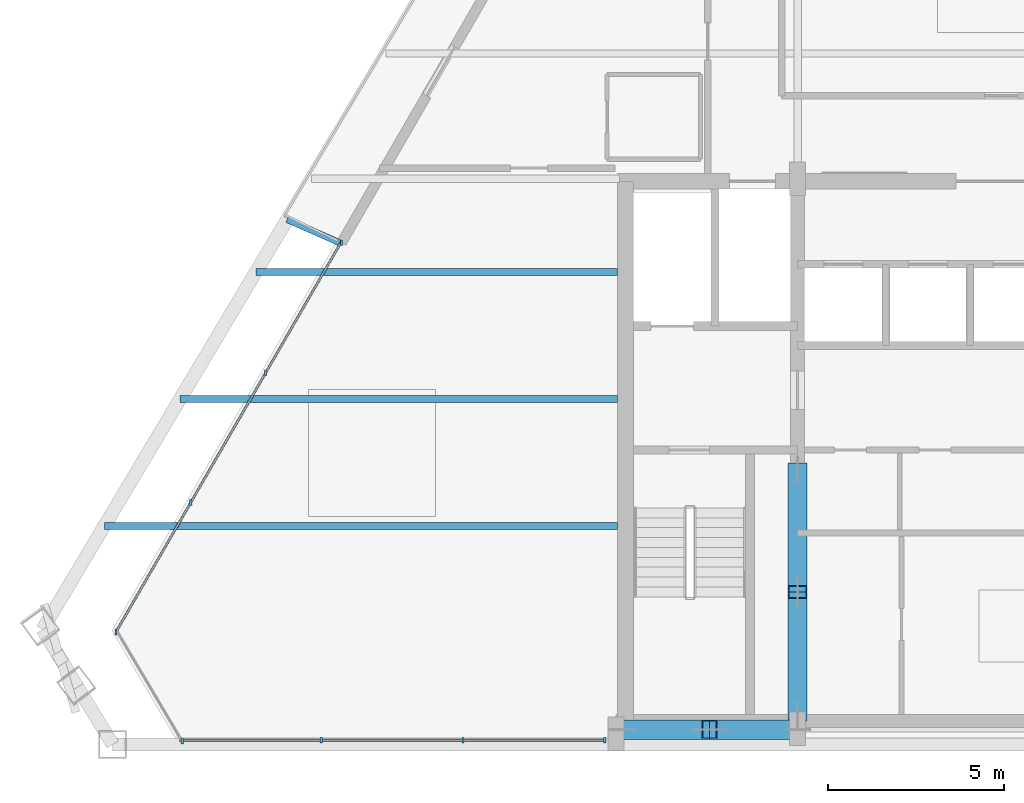
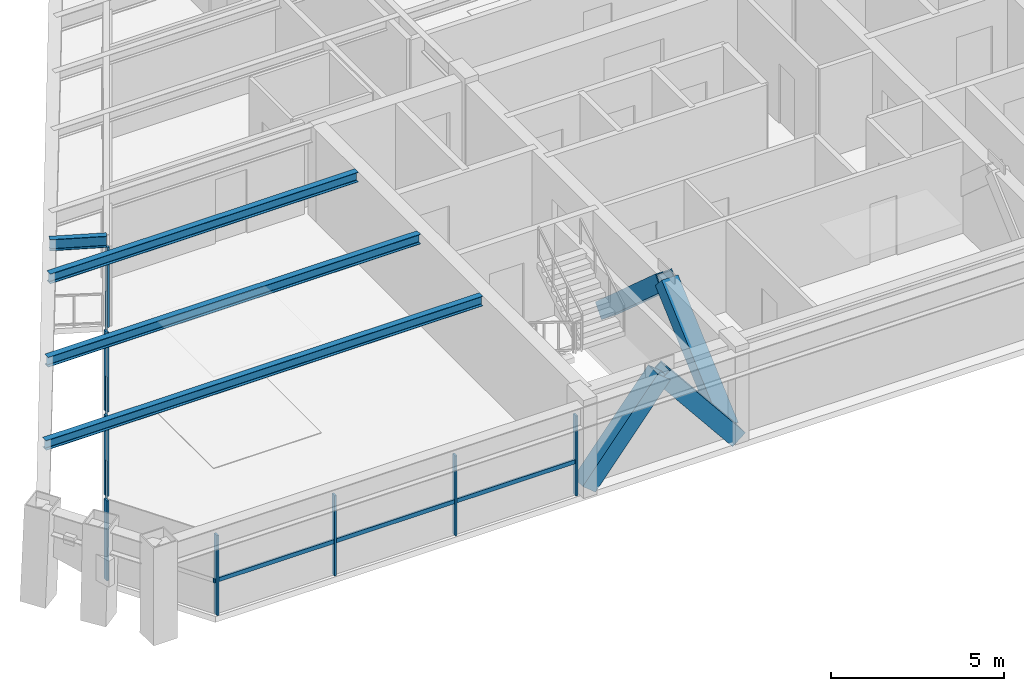
# One storey, part 2 of 13: 18 members, 4 beams, 3 elements without a shape of their own.
"""IFC4 building model written with IfcOpenShell, lengths in metres."""

from ifc_helpers import new_model, si_unit, direction, frame, origin, origin_2d, place, context, subcontext, project, spatial, rectangle, hollow_rectangle, i_section, extrude, source, transform, mapped, material, material_profile, profile_set, type_object, type_shapes, element, aggregate, save


model = new_model("IFC4")

# Units and contexts
model_context = context("Model", 3, precision=1e-05, world=origin(), true_north=direction((0.0, 1.0)))
body_context = subcontext(model_context, "Body", "Model", "MODEL_VIEW")
ifc_project = project(units=[si_unit("LENGTHUNIT", "METRE"), si_unit("AREAUNIT", "SQUARE_METRE"), si_unit("VOLUMEUNIT", "CUBIC_METRE"), si_unit("PLANEANGLEUNIT", "RADIAN"), si_unit("MASSUNIT", "GRAM", prefix="KILO")], contexts=[model_context])

# Site, building, storey
site_placement = place(None, origin())
site = spatial("IfcSite", under=ifc_project, at=site_placement, CompositionType="ELEMENT")
building_placement = place(site_placement, origin())
building = spatial("IfcBuilding", under=site, at=building_placement, Name="Varnakhor Terracotta Tower", CompositionType="ELEMENT")
storey_placement = place(building_placement, frame((0.0, 0.0, 276.449951171875)))
storey = spatial("IfcBuildingStorey", under=building, at=storey_placement, Name="L72", CompositionType="ELEMENT", Elevation=276.449951171875)

# Members
ifc_material_1 = material(Name="Steel S355", Category="steel")
ifc_material_profile_1 = material_profile(ifc_material_1, hollow_rectangle(XDim=0.550048828125, YDim=0.550048828125, WallThickness=0.034912109375, at=origin_2d()), Name="HSS550X550X35")
ifc_profile_set_1 = profile_set([ifc_material_profile_1], Name="Steel S355")
member_type_1 = type_object("IfcMemberType", Name="MBR-MEGA-550", PredefinedType="BRACE", material=ifc_profile_set_1)
shared_shape_1 = source(origin(), body_context, "Body", "SweptSolid", [
    extrude(hollow_rectangle(XDim=0.550048828125, YDim=0.550048828125, WallThickness=0.034912109375, at=origin_2d()), origin(), (0.0, 0.0, 1.0), 3.974853515625),
])
for number, where, z_axis, x_axis, name in (
    (1, (-10.5, 0.419921875, 0.0), (0.628970263838, 0.0, 0.777429358339), (0.0, 1.0, 0.0), "L72 Core Coupled Brace CSWA"),
    (2, (-5.5, 0.419921875, 0.0), (-0.628970263838, 0.0, 0.777429358339), (0.0, -1.0, 0.0), "L72 Core Coupled Brace CSWB"),
):
    element("IfcMember", number, at=place(storey_placement, frame(where, z_axis=z_axis, x_axis=x_axis)), inside=storey, type_object=member_type_1, Name=name, PredefinedType="BRACE", context=body_context, shape_type="MappedRepresentation", body=[
        mapped(shared_shape_1, transform((0.0, 0.0, 0.0), scale=1.0)),
    ])
shared_shape_2 = source(origin(), body_context, "Body", "SweptSolid", [
    extrude(hollow_rectangle(XDim=0.550048828125, YDim=0.550048828125, WallThickness=0.034912109375, at=origin_2d()), origin(), (0.0, 0.0, 1.0), 4.650146484375),
])
for number, where, z_axis, x_axis, name in (
    (3, (-5.5, 0.85009765625, 0.0), (0.0, 0.74726736397, 0.664523503532), (-1.0, 0.0, 0.0), "L72 Core Coupled Brace CWWA"),
    (4, (-5.5, 7.800048828125, 0.0), (0.0, -0.74729054724, 0.664497432655), (1.0, 0.0, 0.0), "L72 Core Coupled Brace CWWB"),
):
    element("IfcMember", number, at=place(storey_placement, frame(where, z_axis=z_axis, x_axis=x_axis)), inside=storey, type_object=member_type_1, Name=name, PredefinedType="BRACE", context=body_context, shape_type="MappedRepresentation", body=[
        mapped(shared_shape_2, transform((0.0, 0.0, 0.0), scale=1.0)),
    ])

# Beams
ifc_material_profile_2 = material_profile(ifc_material_1, i_section(OverallWidth=0.202880859375, OverallDepth=0.346923828125, WebThickness=0.0078125, FlangeThickness=0.013427734375, FilletRadius=0.01806640625, at=origin_2d()), Name="W14X43")
ifc_profile_set_2 = profile_set([ifc_material_profile_2], Name="Steel S355")
beam_type_1 = type_object("IfcBeamType", Name="JST-W14X43", PredefinedType="JOIST", material=ifc_profile_set_2)
shared_shape_3 = source(origin(), body_context, "Body", "SweptSolid", [
    extrude(i_section(OverallWidth=0.202880859375, OverallDepth=0.346923828125, WebThickness=0.0078125, FlangeThickness=0.013427734375, FilletRadius=0.01806640625, at=origin_2d()), origin(), (0.0, 0.0, 1.0), 14.561279296875),
])
beam_1_placement = place(storey_placement, frame((-25.161376953125, 6.199951171875, 3.066650390625), z_axis=(1.0, 0.0, 0.0), x_axis=(0.0, 1.0, 0.0)))
element("IfcBeam", 5, at=beam_1_placement, inside=storey, type_object=beam_type_1, Name="L72 Floor Joist W1", PredefinedType="JOIST", context=body_context, shape_type="MappedRepresentation", body=[
    mapped(shared_shape_3, transform((0.0, 0.0, 0.0), scale=1.0)),
])
shared_shape_4 = source(origin(), body_context, "Body", "SweptSolid", [
    extrude(i_section(OverallWidth=0.202880859375, OverallDepth=0.346923828125, WebThickness=0.0078125, FlangeThickness=0.013427734375, FilletRadius=0.01806640625, at=origin_2d()), origin(), (0.0, 0.0, 1.0), 12.4130859375),
])
beam_2_placement = place(storey_placement, frame((-23.01318359375, 9.800048828125, 3.066650390625), z_axis=(1.0, 0.0, 0.0), x_axis=(0.0, 1.0, 0.0)))
element("IfcBeam", 6, at=beam_2_placement, inside=storey, type_object=beam_type_1, Name="L72 Floor Joist W2", PredefinedType="JOIST", context=body_context, shape_type="MappedRepresentation", body=[
    mapped(shared_shape_4, transform((0.0, 0.0, 0.0), scale=1.0)),
])
shared_shape_5 = source(origin(), body_context, "Body", "SweptSolid", [
    extrude(i_section(OverallWidth=0.202880859375, OverallDepth=0.346923828125, WebThickness=0.0078125, FlangeThickness=0.013427734375, FilletRadius=0.01806640625, at=origin_2d()), origin(), (0.0, 0.0, 1.0), 10.26513671875),
])
beam_3_placement = place(storey_placement, frame((-20.865234375, 13.39990234375, 3.066650390625), z_axis=(1.0, 0.0, 0.0), x_axis=(0.0, 1.0, 0.0)))
element("IfcBeam", 7, at=beam_3_placement, inside=storey, type_object=beam_type_1, Name="L72 Floor Joist W3", PredefinedType="JOIST", context=body_context, shape_type="MappedRepresentation", body=[
    mapped(shared_shape_5, transform((0.0, 0.0, 0.0), scale=1.0)),
])

# Curtain wall, members
ifc_material_2 = material(Name="Anodised Aluminium Curtain Wall System", Category="aluminium")
curtain_wall_type = type_object("IfcCurtainWallType", Name="CW-SYS-HOTEL-LOGGIA", PredefinedType="NOTDEFINED", material=ifc_material_2)
curtain_wall_1_placement = place(storey_placement, origin())
curtain_wall_1 = element("IfcCurtainWall", 8, at=curtain_wall_1_placement, inside=storey, type_object=curtain_wall_type, Name="L72 W Facet Curtain Wall 1", PredefinedType="NOTDEFINED")
ifc_material_3 = material(Name="Anodised Aluminium 6063-T6", Category="aluminium")
ifc_material_profile_3 = material_profile(ifc_material_3, rectangle(XDim=0.06494140625, YDim=0.159912109375, at=origin_2d()), Name="ALU MULLION 65x160")
ifc_profile_set_3 = profile_set([ifc_material_profile_3], Name="Anodised Aluminium 6063-T6")
member_type_2 = type_object("IfcMemberType", Name="CWM-04", PredefinedType="MULLION", material=ifc_profile_set_3)
shared_shape_6 = source(origin(), body_context, "Body", "SweptSolid", [
    extrude(rectangle(XDim=0.06494140625, YDim=0.159912109375, at=origin_2d()), origin(), (0.0, 0.0, 1.0), 2.820068359375),
])
type_shapes(member_type_2, [shared_shape_6])
member_1_placement = place(storey_placement, frame((-24.832275390625, 3.189453125, 0.0), z_axis=(0.0, 0.0, 1.0), x_axis=(1.0, 0.0, 0.0)))
member_1 = element("IfcMember", 9, at=member_1_placement, type_object=member_type_2, Name="L72 W Facet Curtain Wall 1 Mullion 1", PredefinedType="MULLION", context=body_context, shape_type="MappedRepresentation", body=[
    mapped(shared_shape_6, transform((0.0, 0.0, 0.0), scale=1.0)),
])
member_2_placement = place(storey_placement, frame((-22.71044921875, 6.86376953125, 0.0), z_axis=(0.0, 0.0, 1.0), x_axis=(1.0, 0.0, 0.0)))
member_2 = element("IfcMember", 10, at=member_2_placement, type_object=member_type_2, Name="L72 W Facet Curtain Wall 1 Mullion 2", PredefinedType="MULLION", context=body_context, shape_type="MappedRepresentation", body=[
    mapped(shared_shape_6, transform((0.0, 0.0, 0.0), scale=1.0)),
])
member_3_placement = place(storey_placement, frame((-20.588623046875, 10.5380859375, 0.0), z_axis=(0.0, 0.0, 1.0), x_axis=(1.0, 0.0, 0.0)))
member_3 = element("IfcMember", 11, at=member_3_placement, type_object=member_type_2, Name="L72 W Facet Curtain Wall 1 Mullion 3", PredefinedType="MULLION", context=body_context, shape_type="MappedRepresentation", body=[
    mapped(shared_shape_6, transform((0.0, 0.0, 0.0), scale=1.0)),
])
member_4_placement = place(storey_placement, frame((-18.434814453125, 14.228759765625, 0.0), z_axis=(0.0, 0.0, 1.0), x_axis=(1.0, 0.0, 0.0)))
member_4 = element("IfcMember", 12, at=member_4_placement, type_object=member_type_2, Name="L72 W Loggia Jamb Closure Mullion 1", PredefinedType="MULLION", context=body_context, shape_type="MappedRepresentation", body=[
    mapped(shared_shape_6, transform((0.0, 0.0, 0.0), scale=1.0)),
])

curtain_wall_2_placement = place(storey_placement, origin())
curtain_wall_2 = element("IfcCurtainWall", 13, at=curtain_wall_2_placement, inside=storey, type_object=curtain_wall_type, Name="L72 South Wing Curtain Wall SSW", PredefinedType="NOTDEFINED")
member_5_placement = place(storey_placement, frame((-10.969970703125, 0.1201171875, 0.0), z_axis=(0.0, 0.0, 1.0), x_axis=(1.0, 0.0, 0.0)))
member_5 = element("IfcMember", 14, at=member_5_placement, type_object=member_type_2, Name="L72 South Wing Curtain Wall SSW Mullion 1", PredefinedType="MULLION", context=body_context, shape_type="MappedRepresentation", body=[
    mapped(shared_shape_6, transform((0.0, 0.0, 0.0), scale=1.0)),
])
member_6_placement = place(storey_placement, frame((-14.990478515625, 0.1201171875, 0.0), z_axis=(0.0, 0.0, 1.0), x_axis=(1.0, 0.0, 0.0)))
member_6 = element("IfcMember", 15, at=member_6_placement, type_object=member_type_2, Name="L72 South Wing Curtain Wall SSW Mullion 2", PredefinedType="MULLION", context=body_context, shape_type="MappedRepresentation", body=[
    mapped(shared_shape_6, transform((0.0, 0.0, 0.0), scale=1.0)),
])
member_7_placement = place(storey_placement, frame((-19.010986328125, 0.1201171875, 0.0), z_axis=(0.0, 0.0, 1.0), x_axis=(1.0, 0.0, 0.0)))
member_7 = element("IfcMember", 16, at=member_7_placement, type_object=member_type_2, Name="L72 South Wing Curtain Wall SSW Mullion 3", PredefinedType="MULLION", context=body_context, shape_type="MappedRepresentation", body=[
    mapped(shared_shape_6, transform((0.0, 0.0, 0.0), scale=1.0)),
])

# Curtain wall, member
curtain_wall_3_placement = place(storey_placement, origin())
curtain_wall_3 = element("IfcCurtainWall", 17, at=curtain_wall_3_placement, inside=storey, type_object=curtain_wall_type, Name="L72 Facet Curtain Wall 6", PredefinedType="NOTDEFINED")
member_8_placement = place(storey_placement, frame((-22.95361328125, 0.0869140625, 0.0), z_axis=(0.0, 0.0, 1.0), x_axis=(1.0, 0.0, 0.0)))
member_8 = element("IfcMember", 18, at=member_8_placement, type_object=member_type_2, Name="L72 Facet Curtain Wall 6 Mullion 1", PredefinedType="MULLION", context=body_context, shape_type="MappedRepresentation", body=[
    mapped(shared_shape_6, transform((0.0, 0.0, 0.0), scale=1.0)),
])
aggregate(curtain_wall_3, [member_8])

# Member
ifc_material_profile_4 = material_profile(ifc_material_3, rectangle(XDim=0.06494140625, YDim=0.14501953125, at=origin_2d()), Name="ALU TRANSOM 65x145")
ifc_profile_set_4 = profile_set([ifc_material_profile_4], Name="Anodised Aluminium 6063-T6")
member_type_3 = type_object("IfcMemberType", Name="CWT-04", PredefinedType="USERDEFINED", material=ifc_profile_set_4)
shared_shape_7 = source(origin(), body_context, "Body", "SweptSolid", [
    extrude(rectangle(XDim=0.06494140625, YDim=0.14501953125, at=origin_2d()), origin(), (0.0, 0.0, 1.0), 4.242919921875),
])
member_9_placement = place(storey_placement, frame((-24.832275390625, 3.189453125, 1.1845703125), z_axis=(0.500081062413, 0.86597859732, 0.0), x_axis=(-0.86597859732, 0.500081062413, 0.0)))
member_9 = element("IfcMember", 19, at=member_9_placement, type_object=member_type_3, Name="L72 W Facet Curtain Wall 1 Transom 1", ObjectType="TRANSOM", PredefinedType="USERDEFINED", context=body_context, shape_type="MappedRepresentation", body=[
    mapped(shared_shape_7, transform((0.0, 0.0, 0.0), scale=1.0)),
])

member_10_placement = place(storey_placement, frame((-22.71044921875, 6.86376953125, 1.1845703125), z_axis=(0.500081062413, 0.86597859732, 0.0), x_axis=(-0.86597859732, 0.500081062413, 0.0)))
member_10 = element("IfcMember", 20, at=member_10_placement, type_object=member_type_3, Name="L72 W Facet Curtain Wall 1 Transom 2", ObjectType="TRANSOM", PredefinedType="USERDEFINED", context=body_context, shape_type="MappedRepresentation", body=[
    mapped(shared_shape_7, transform((0.0, 0.0, 0.0), scale=1.0)),
])

shared_shape_8 = source(origin(), body_context, "Body", "SweptSolid", [
    extrude(rectangle(XDim=0.06494140625, YDim=0.14501953125, at=origin_2d()), origin(), (0.0, 0.0, 1.0), 4.2431640625),
])
member_11_placement = place(storey_placement, frame((-20.588623046875, 10.5380859375, 1.1845703125), z_axis=(0.500012993597, 0.866017901798, 0.0), x_axis=(-0.866017901798, 0.500012993597, 0.0)))
member_11 = element("IfcMember", 21, at=member_11_placement, type_object=member_type_3, Name="L72 W Facet Curtain Wall 1 Transom 3", ObjectType="TRANSOM", PredefinedType="USERDEFINED", context=body_context, shape_type="MappedRepresentation", body=[
    mapped(shared_shape_8, transform((0.0, 0.0, 0.0), scale=1.0)),
])

aggregate(curtain_wall_1, [member_1, member_9, member_2, member_10, member_3, member_11, member_4])

shared_shape_9 = source(origin(), body_context, "Body", "SweptSolid", [
    extrude(rectangle(XDim=0.06494140625, YDim=0.14501953125, at=origin_2d()), origin(), (0.0, 0.0, 1.0), 4.0205078125),
])
member_12_placement = place(storey_placement, frame((-10.969970703125, 0.1201171875, 1.1845703125), z_axis=(-1.0, 0.0, 0.0), x_axis=(0.0, -1.0, 0.0)))
member_12 = element("IfcMember", 22, at=member_12_placement, type_object=member_type_3, Name="L72 South Wing Curtain Wall SSW Transom 1", ObjectType="TRANSOM", PredefinedType="USERDEFINED", context=body_context, shape_type="MappedRepresentation", body=[
    mapped(shared_shape_9, transform((0.0, 0.0, 0.0), scale=1.0)),
])

member_13_placement = place(storey_placement, frame((-14.990478515625, 0.1201171875, 1.1845703125), z_axis=(-1.0, 0.0, 0.0), x_axis=(0.0, -1.0, 0.0)))
member_13 = element("IfcMember", 23, at=member_13_placement, type_object=member_type_3, Name="L72 South Wing Curtain Wall SSW Transom 2", ObjectType="TRANSOM", PredefinedType="USERDEFINED", context=body_context, shape_type="MappedRepresentation", body=[
    mapped(shared_shape_9, transform((0.0, 0.0, 0.0), scale=1.0)),
])

member_14_placement = place(storey_placement, frame((-19.010986328125, 0.1201171875, 1.1845703125), z_axis=(-1.0, 0.0, 0.0), x_axis=(0.0, -1.0, 0.0)))
member_14 = element("IfcMember", 24, at=member_14_placement, type_object=member_type_3, Name="L72 South Wing Curtain Wall SSW Transom 3", ObjectType="TRANSOM", PredefinedType="USERDEFINED", context=body_context, shape_type="MappedRepresentation", body=[
    mapped(shared_shape_9, transform((0.0, 0.0, 0.0), scale=1.0)),
])

aggregate(curtain_wall_2, [member_5, member_12, member_6, member_13, member_7, member_14])

# Beam
ifc_material_profile_5 = material_profile(ifc_material_1, i_section(OverallWidth=0.179931640625, OverallDepth=0.39990234375, WebThickness=0.008544921875, FlangeThickness=0.013427734375, FilletRadius=0.01806640625, at=origin_2d()), Name="IPE400")
ifc_profile_set_5 = profile_set([ifc_material_profile_5], Name="Steel S355")
beam_type_2 = type_object("IfcBeamType", Name="JST-IPE400", PredefinedType="JOIST", material=ifc_profile_set_5)
shared_shape_10 = source(origin(), body_context, "Body", "SweptSolid", [
    extrude(i_section(OverallWidth=0.179931640625, OverallDepth=0.39990234375, WebThickness=0.008544921875, FlangeThickness=0.013427734375, FilletRadius=0.01806640625, at=origin_2d()), origin(), (0.0, 0.0, 1.0), 1.65673828125),
])
beam_4_placement = place(storey_placement, frame((-18.461181640625, 14.219970703125, 3.0400390625), z_axis=(-0.914932205794, 0.403607555431, 0.0), x_axis=(-0.403607555431, -0.914932205794, 0.0)))
element("IfcBeam", 25, at=beam_4_placement, inside=storey, type_object=beam_type_2, Name="L73 W Loggia Tie Beam 1", PredefinedType="JOIST", context=body_context, shape_type="MappedRepresentation", body=[
    mapped(shared_shape_10, transform((0.0, 0.0, 0.0), scale=1.0)),
])

save(model, "model.ifc")
